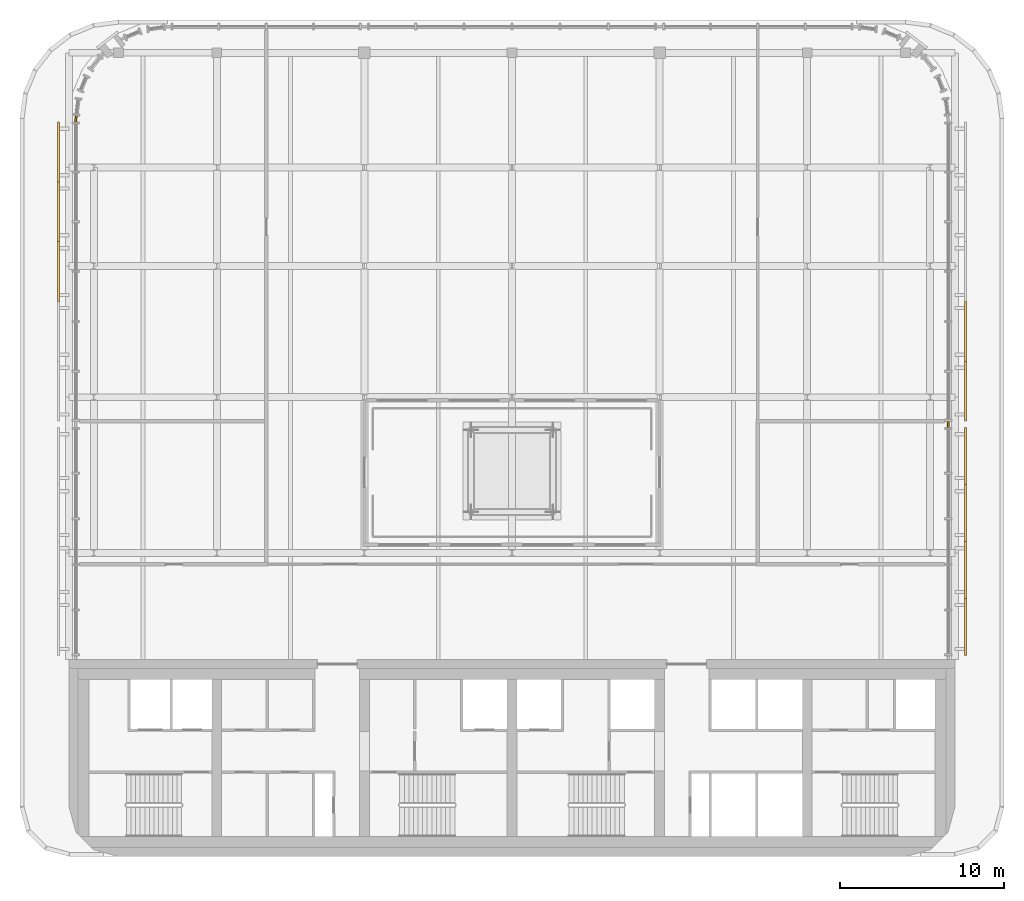
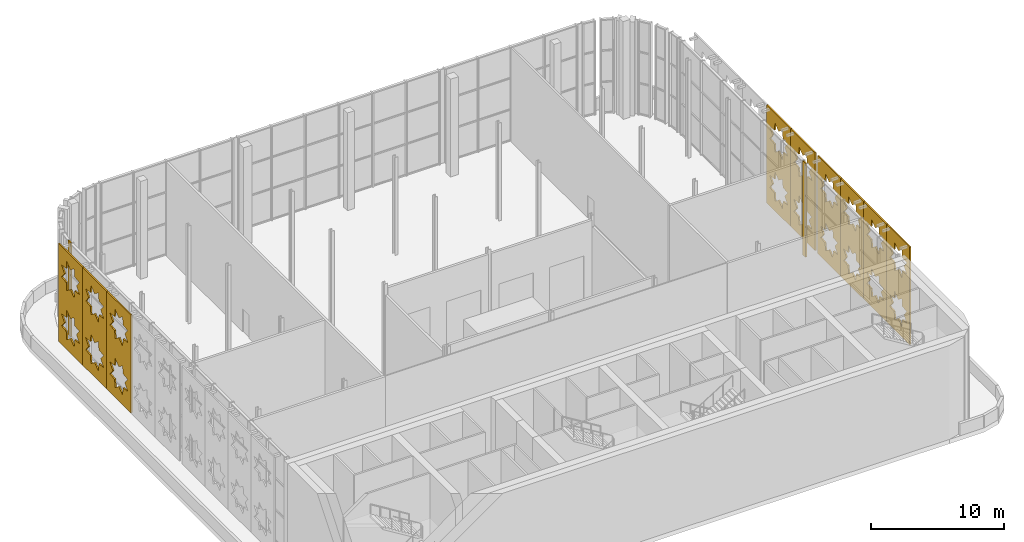
# One storey, part 24 of 26: 11 coverings.
"""IFC4 building model written with IfcOpenShell, lengths in metres."""

from ifc_helpers import new_model, si_unit, direction, frame, origin, origin_2d, place, context, subcontext, project, spatial, polyline, rectangle, outline, extrude, material, layer, layer_set, type_object, element, save


model = new_model("IFC4")

# Units and contexts
model_context = context("Model", 3, precision=1e-05, world=origin(), true_north=direction((0.0, 1.0)))
body_context = subcontext(model_context, "Body", "Model", "MODEL_VIEW")
ifc_project = project(units=[si_unit("LENGTHUNIT", "METRE"), si_unit("AREAUNIT", "SQUARE_METRE"), si_unit("VOLUMEUNIT", "CUBIC_METRE"), si_unit("PLANEANGLEUNIT", "RADIAN"), si_unit("MASSUNIT", "GRAM", prefix="KILO")], contexts=[model_context])

# Site, building, storey
site_placement = place(None, origin())
site = spatial("IfcSite", under=ifc_project, at=site_placement, CompositionType="ELEMENT")
building_placement = place(site_placement, origin())
building = spatial("IfcBuilding", under=site, at=building_placement, Name="Zellij Exchange Tower", CompositionType="ELEMENT")
storey_placement = place(building_placement, frame((0.0, 0.0, 296.5)))
storey = spatial("IfcBuildingStorey", under=building, at=storey_placement, Name="L70", CompositionType="ELEMENT", Elevation=296.5)

# Coverings
ifc_material_1 = material(Name="Limestone cladding", Category="masonry")
ifc_layer_1 = layer(ifc_material_1, 0.1201171875)
ifc_layer_set_1 = layer_set([ifc_layer_1], Name="Limestone cladding")
covering_type_1 = type_object("IfcCoveringType", Name="ENV-CV18 Glazing closer 120", PredefinedType="CLADDING", material=ifc_layer_set_1)
covering_1_placement = place(storey_placement, frame((26.60009765625, 12.34228515625, 0.0), z_axis=(0.0, 0.0, 1.0), x_axis=(0.0, 1.0, 0.0)))
element("IfcCovering", 1, at=covering_1_placement, inside=storey, type_object=covering_type_1, Name="Glazing closer", PredefinedType="CLADDING", context=body_context, shape_type="SweptSolid", body=[
    extrude(rectangle(XDim=0.39990234375, YDim=0.1201171875, at=origin_2d()), origin(), (0.0, 0.0, 1.0), 8.64990234375),
])
covering_2_placement = place(storey_placement, frame((-26.5869140625, 30.972900390625, 0.0), z_axis=(0.0, 0.0, 1.0), x_axis=(-0.065389196485, -0.997859836341, 0.0)))
element("IfcCovering", 2, at=covering_2_placement, inside=storey, type_object=covering_type_1, Name="Glazing closer", PredefinedType="CLADDING", context=body_context, shape_type="SweptSolid", body=[
    extrude(rectangle(XDim=0.399169921875, YDim=0.1201171875, at=origin_2d()), origin(), (0.0, 0.0, 1.0), 8.64990234375),
])
ifc_material_2 = material(Name="Limestone screen", Category="masonry")
ifc_layer_2 = layer(ifc_material_2, 0.1201171875)
ifc_layer_set_2 = layer_set([ifc_layer_2], Name="Limestone screen")
covering_type_2 = type_object("IfcCoveringType", Name="ENV-SC1 Pierced stone screen 120", PredefinedType="USERDEFINED", material=ifc_layer_set_2)
for number, where, z_axis, x_axis, name in (
    (3, (27.659912109375, -1.75, 0.0), (0.0, 0.0, 1.0), (0.0, 1.0, 0.0), "Pierced stone screen"),
    (4, (27.659912109375, 1.722900390625, 0.0), (0.0, 0.0, 1.0), (0.0, 1.0, 0.0), "Pierced stone screen"),
    (5, (27.659912109375, 5.196044921875, 0.0), (0.0, 0.0, 1.0), (0.0, 1.0, 0.0), "Pierced stone screen"),
    (6, (27.659912109375, 8.669189453125, 0.0), (0.0, 0.0, 1.0), (0.0, 1.0, 0.0), "Pierced stone screen"),
):
    element("IfcCovering", number, at=place(storey_placement, frame(where, z_axis=z_axis, x_axis=x_axis)), inside=storey, type_object=covering_type_2, Name=name, ObjectType="SCREEN", PredefinedType="USERDEFINED", context=body_context, shape_type="SweptSolid", body=[
        extrude(outline(polyline([(0.0, 0.0), (3.47314453125, 0.0), (3.47314453125, 9.0), (0.0, 9.0), (0.0, 0.0)]), holes=[polyline([(3.02001953125, 2.781494140625), (2.345703125, 2.85888671875), (2.268310546875, 3.533447265625), (1.736572265625, 3.111328125), (1.204833984375, 3.533447265625), (1.12744140625, 2.85888671875), (0.453125, 2.781494140625), (0.875244140625, 2.25), (0.453125, 1.718505859375), (1.12744140625, 1.64111328125), (1.204833984375, 0.966552734375), (1.736572265625, 1.388671875), (2.268310546875, 0.966552734375), (2.345703125, 1.64111328125), (3.02001953125, 1.718505859375), (2.597900390625, 2.25), (3.02001953125, 2.781494140625)]), polyline([(3.02001953125, 7.281494140625), (2.345703125, 7.35888671875), (2.268310546875, 8.033447265625), (1.736572265625, 7.611328125), (1.204833984375, 8.033447265625), (1.12744140625, 7.35888671875), (0.453125, 7.281494140625), (0.875244140625, 6.75), (0.453125, 6.218505859375), (1.12744140625, 6.14111328125), (1.204833984375, 5.466552734375), (1.736572265625, 5.888671875), (2.268310546875, 5.466552734375), (2.345703125, 6.14111328125), (3.02001953125, 6.218505859375), (2.597900390625, 6.75), (3.02001953125, 7.281494140625)])]), frame((0.0, 0.06005859375, 0.0), z_axis=(0.0, -1.0, 0.0), x_axis=(1.0, 0.0, 0.0)), (0.0, 0.0, 1.0), 0.1201171875),
    ])
for number, where, z_axis, x_axis, name in (
    (7, (27.659912109375, 12.542236328125, 0.0), (0.0, 0.0, 1.0), (0.0, 1.0, 0.0), "Pierced stone screen"),
    (8, (27.659912109375, 16.1884765625, 0.0), (0.0, 0.0, 1.0), (0.0, 1.0, 0.0), "Pierced stone screen"),
    (9, (-27.659912109375, 30.773681640625, 0.0), (0.0, 0.0, 1.0), (0.0, -1.0, 0.0), "Pierced stone screen"),
    (10, (-27.659912109375, 27.12744140625, 0.0), (0.0, 0.0, 1.0), (0.0, -1.0, 0.0), "Pierced stone screen"),
    (11, (-27.659912109375, 23.481201171875, 0.0), (0.0, 0.0, 1.0), (0.0, -1.0, 0.0), "Pierced stone screen"),
):
    element("IfcCovering", number, at=place(storey_placement, frame(where, z_axis=z_axis, x_axis=x_axis)), inside=storey, type_object=covering_type_2, Name=name, ObjectType="SCREEN", PredefinedType="USERDEFINED", context=body_context, shape_type="SweptSolid", body=[
        extrude(outline(polyline([(0.0, 0.0), (3.646240234375, 0.0), (3.646240234375, 9.0), (0.0, 9.0), (0.0, 0.0)]), holes=[polyline([(3.170654296875, 2.80810546875), (2.462646484375, 2.889404296875), (2.38134765625, 3.597412109375), (1.8232421875, 3.154296875), (1.264892578125, 3.597412109375), (1.18359375, 2.889404296875), (0.4755859375, 2.80810546875), (0.9189453125, 2.25), (0.4755859375, 1.69189453125), (1.18359375, 1.610595703125), (1.264892578125, 0.902587890625), (1.8232421875, 1.345703125), (2.38134765625, 0.902587890625), (2.462646484375, 1.610595703125), (3.170654296875, 1.69189453125), (2.727294921875, 2.25), (3.170654296875, 2.80810546875)]), polyline([(3.170654296875, 7.30810546875), (2.462646484375, 7.389404296875), (2.38134765625, 8.097412109375), (1.8232421875, 7.654296875), (1.264892578125, 8.097412109375), (1.18359375, 7.389404296875), (0.4755859375, 7.30810546875), (0.9189453125, 6.75), (0.4755859375, 6.19189453125), (1.18359375, 6.110595703125), (1.264892578125, 5.402587890625), (1.8232421875, 5.845703125), (2.38134765625, 5.402587890625), (2.462646484375, 6.110595703125), (3.170654296875, 6.19189453125), (2.727294921875, 6.75), (3.170654296875, 7.30810546875)])]), frame((0.0, 0.06005859375, 0.0), z_axis=(0.0, -1.0, 0.0), x_axis=(1.0, 0.0, 0.0)), (0.0, 0.0, 1.0), 0.1201171875),
    ])

save(model, "model.ifc")
